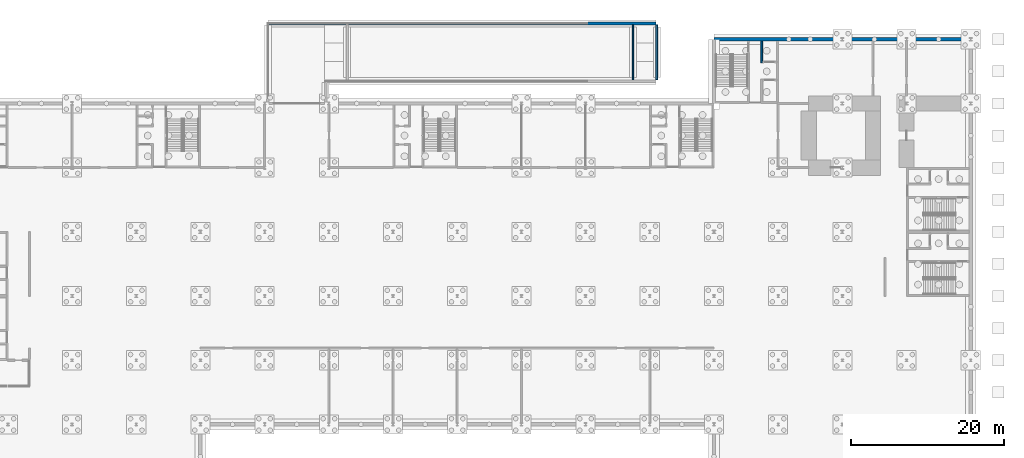
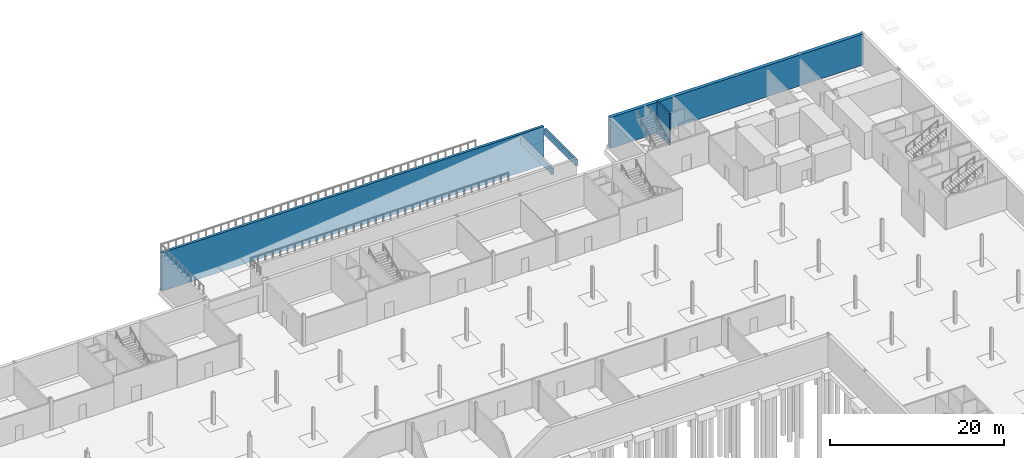
# One storey, part 30 of 35: 5 walls.
"""IFC4 building model written with IfcOpenShell, lengths in metres."""

from ifc_helpers import new_model, si_unit, direction, frame, frame_2d, origin, place, context, subcontext, project, spatial, polyline, rectangle, outline, extrude, material, layer, layer_set, type_object, element, save


model = new_model("IFC4")

# Units and contexts
model_context = context("Model", 3, precision=1e-05, world=origin(), true_north=direction((0.0, 1.0)))
body_context = subcontext(model_context, "Body", "Model", "MODEL_VIEW")
ifc_project = project(units=[si_unit("LENGTHUNIT", "METRE"), si_unit("AREAUNIT", "SQUARE_METRE"), si_unit("VOLUMEUNIT", "CUBIC_METRE"), si_unit("PLANEANGLEUNIT", "RADIAN"), si_unit("MASSUNIT", "GRAM", prefix="KILO")], contexts=[model_context])

# Site, building, storey
site_placement = place(None, origin())
site = spatial("IfcSite", under=ifc_project, at=site_placement, CompositionType="ELEMENT")
building_placement = place(site_placement, origin())
building = spatial("IfcBuilding", under=site, at=building_placement, Name="Ardhachandra Cancer Care Centre", CompositionType="ELEMENT")
storey_placement = place(building_placement, frame((0.0, 0.0, -4.5)))
storey = spatial("IfcBuildingStorey", under=building, at=storey_placement, Name="B1", CompositionType="ELEMENT", Elevation=-4.5)

# Walls
ifc_material_1 = material(Name="Concrete M40", Category="concrete")
ifc_layer_1 = layer(ifc_material_1, 0.199951171875)
ifc_layer_set_1 = layer_set([ifc_layer_1], Name="Concrete M40")
wall_type_1 = type_object("IfcWallType", Name="Core wall RC 200", PredefinedType="SOLIDWALL", material=ifc_layer_set_1)
wall_1_placement = place(storey_placement, frame((117.85009765625, 101.925048828125, 0.0), z_axis=(0.0, 0.0, 1.0), x_axis=(0.0, 1.0, 0.0)))
element("IfcWall", 1, at=wall_1_placement, inside=storey, type_object=wall_type_1, Name="Core wall K12 P2B", PredefinedType="SOLIDWALL", context=body_context, shape_type="SweptSolid", body=[
    extrude(rectangle(XDim=2.849853515625, YDim=0.199951171875, at=frame_2d((1.4248046875, 0.0))), origin(), (0.0, 0.0, 1.0), 4.5),
])
ifc_material_2 = material(Name="Concrete M40", Category="concrete")
ifc_layer_2 = layer(ifc_material_2, 0.35009765625)
ifc_layer_set_2 = layer_set([ifc_layer_2], Name="Concrete M40")
wall_type_2 = type_object("IfcWallType", Name="Ramp retaining wall RC 350", PredefinedType="SOLIDWALL", material=ifc_layer_set_2)
wall_2_placement = place(storey_placement, frame((104.0, 107.074951171875, -0.89990234375), z_axis=(0.0, 0.0, 1.0), x_axis=(-1.0, 0.0, 0.0)))
element("IfcWall", 2, at=wall_2_placement, inside=storey, type_object=wall_type_2, Name="Ramp retaining wall north", PredefinedType="SOLIDWALL", context=body_context, shape_type="SweptSolid", body=[
    extrude(outline(polyline([(0.0, 0.0), (50.77490234375, 0.0), (50.77490234375, 5.39990234375), (0.0, 5.39990234375), (0.0, 0.0)])), frame((0.0, 0.175048828125, 0.0), z_axis=(0.0, -1.0, 0.0), x_axis=(1.0, 0.0, 0.0)), (0.0, 0.0, 1.0), 0.35009765625),
])
wall_3_placement = place(storey_placement, frame((104.125, 99.699951171875, 3.300048828125), z_axis=(0.0, 0.0, 1.0), x_axis=(0.0, 1.0, 0.0)))
element("IfcWall", 3, at=wall_3_placement, inside=storey, type_object=wall_type_2, Name="Ramp bearing wall abutment", PredefinedType="SOLIDWALL", context=body_context, shape_type="SweptSolid", body=[
    extrude(rectangle(XDim=7.199951171875, YDim=0.25, at=frame_2d((3.60009765625, 0.0))), origin(), (0.0, 0.0, 1.0), 0.89990234375),
])
wall_4_placement = place(storey_placement, frame((101.0, 99.699951171875, 3.1328125), z_axis=(0.0, 0.0, 1.0), x_axis=(0.0, 1.0, 0.0)))
element("IfcWall", 4, at=wall_4_placement, inside=storey, type_object=wall_type_2, Name="Ramp bearing wall top", PredefinedType="SOLIDWALL", context=body_context, shape_type="SweptSolid", body=[
    extrude(rectangle(XDim=7.199951171875, YDim=0.25, at=frame_2d((3.60009765625, 0.0))), origin(), (0.0, 0.0, 1.0), 0.900146484375),
])
ifc_material_3 = material(Name="Concrete M40", Category="concrete")
ifc_layer_3 = layer(ifc_material_3, 0.449951171875)
ifc_layer_set_3 = layer_set([ifc_layer_3], Name="Concrete M40")
wall_type_3 = type_object("IfcWallType", Name="Retaining wall 450", PredefinedType="SOLIDWALL", material=ifc_layer_set_3)
wall_5_placement = place(storey_placement, frame((145.199951171875, 105.0, 0.0), z_axis=(0.0, 0.0, 1.0), x_axis=(-1.0, 0.0, 0.0)))
element("IfcWall", 5, at=wall_5_placement, inside=storey, type_object=wall_type_3, Name="Basement retaining wall 05", PredefinedType="SOLIDWALL", context=body_context, shape_type="SweptSolid", body=[
    extrude(rectangle(XDim=33.599853515625, YDim=0.449951171875, at=frame_2d((16.7998046875, 0.0))), origin(), (0.0, 0.0, 1.0), 4.35009765625),
])

save(model, "model.ifc")
